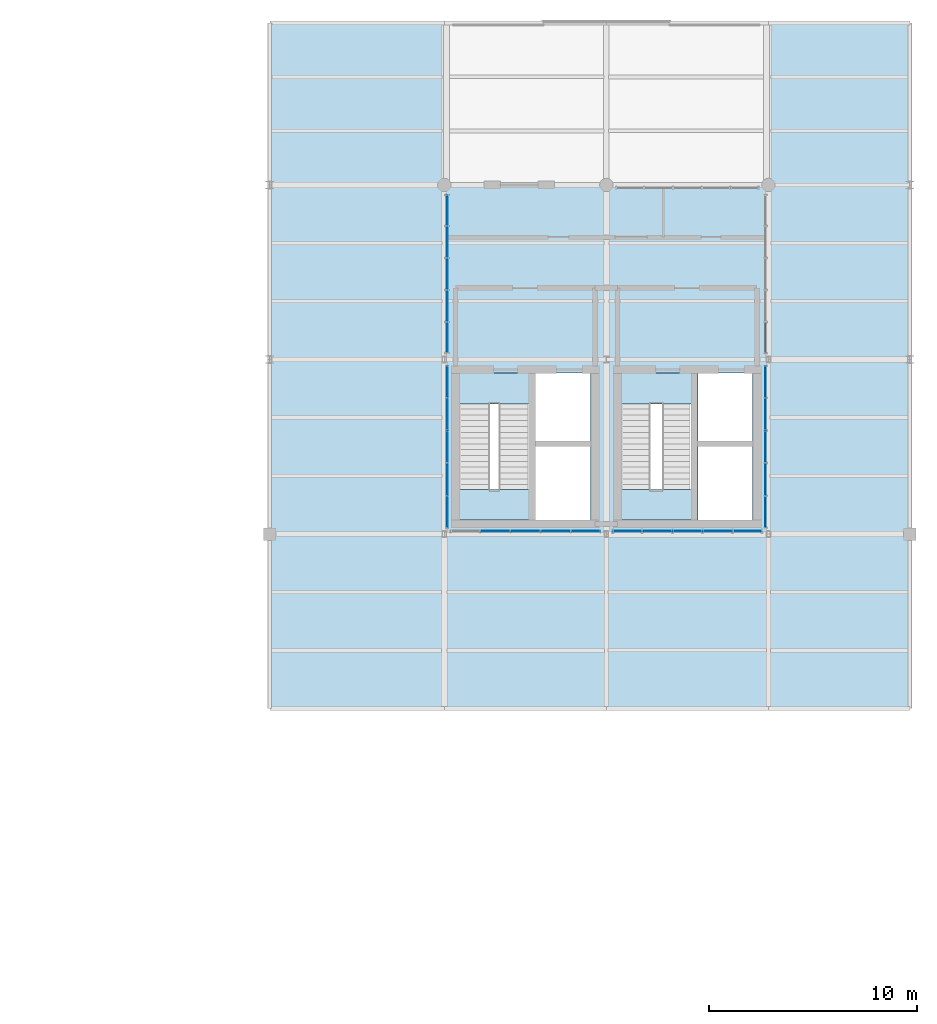
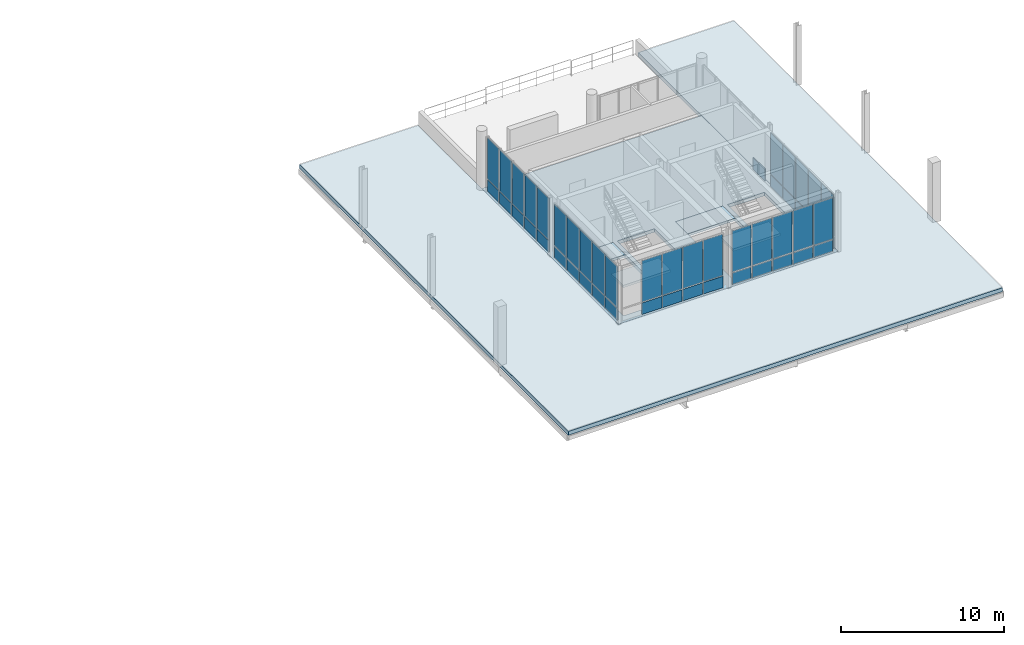
# One storey, part 54 of 66: 49 plates, 6 slabs, 8 elements without a shape of their own.
"""IFC4 building model written with IfcOpenShell, lengths in metres."""

from ifc_helpers import new_model, si_unit, direction, frame, frame_2d, origin_with_axes, place, context, subcontext, project, spatial, polyline, rectangle, outline, extrude, material, layer, layer_set, type_object, element, aggregate, save


model = new_model("IFC4")

# Units and contexts
model_context = context("Model", 3, precision=1e-05, world=origin_with_axes(), true_north=direction((0.0, 1.0)))
body_context = subcontext(model_context, "Body", "Model", "MODEL_VIEW")
ifc_project = project(units=[si_unit("LENGTHUNIT", "METRE"), si_unit("AREAUNIT", "SQUARE_METRE"), si_unit("VOLUMEUNIT", "CUBIC_METRE"), si_unit("PLANEANGLEUNIT", "RADIAN"), si_unit("MASSUNIT", "GRAM", prefix="KILO"), si_unit("THERMODYNAMICTEMPERATUREUNIT", "KELVIN")], contexts=[model_context])

# Site, building, storey
site_placement = place(None, origin_with_axes())
site = spatial("IfcSite", under=ifc_project, at=site_placement, CompositionType="ELEMENT")
building_placement = place(site_placement, origin_with_axes())
building = spatial("IfcBuilding", under=site, at=building_placement, Name="Montbau Bow Law Courts", CompositionType="ELEMENT")
storey_placement = place(building_placement, frame((0.0, 0.0, 34.5), z_axis=(0.0, 0.0, 1.0), x_axis=(1.0, 0.0, 0.0)))
storey = spatial("IfcBuildingStorey", under=building, at=storey_placement, Name="L07", CompositionType="ELEMENT", Elevation=34.5)

# Curtain wall, plates
ifc_material_1 = material(Name="Thermally Broken Extruded Aluminium AA 6063-T6", Category="aluminium")
curtain_wall_type = type_object("IfcCurtainWallType", Name="CW-NCK-03", PredefinedType="NOTDEFINED", material=ifc_material_1)
curtain_wall_1_placement = place(None, frame((147.268, 86.54, 34.5), z_axis=(0.0, 0.0, 1.0), x_axis=(1.0, 0.0, 0.0)))
curtain_wall_1 = element("IfcCurtainWall", 1, at=curtain_wall_1_placement, inside=storey, type_object=curtain_wall_type, Name="CW-L07-365:cw_0365", PredefinedType="NOTDEFINED")
ifc_material_2 = material(Name="Insulated Ceramic-Frit Spandrel Glazing Unit", Category="glass")
ifc_layer_1 = layer(ifc_material_2, 0.056, Name="Curtain Panel", Category="glass")
ifc_layer_set_1 = layer_set([ifc_layer_1], Name="Insulated Ceramic-Frit Spandrel Glazing Unit")
plate_type_1 = type_object("IfcPlateType", Name="PL-CWP-02", PredefinedType="CURTAIN_PANEL", material=ifc_layer_set_1)
plate_1_placement = place(None, frame((148.753, 86.54, 34.558), z_axis=(0.0, -1.0, 0.0), x_axis=(1.0, 0.0, 0.0)))
plate_1 = element("IfcPlate", 2, at=plate_1_placement, type_object=plate_type_1, Name="CW-L07-365-P02-1:cw_0365_P02_1", PredefinedType="CURTAIN_PANEL", context=body_context, shape_type="SweptSolid", body=[
    extrude(rectangle(XDim=1.389, YDim=0.862, at=frame_2d((0.6945, 0.431), x_axis=(1.0, 0.0))), frame((0.0, 0.0, -0.028), z_axis=(0.0, 0.0, 1.0), x_axis=(1.0, 0.0, 0.0)), (0.0, 0.0, 1.0), 0.056),
])
plate_2_placement = place(None, frame((150.206, 86.54, 34.558), z_axis=(0.0, -1.0, 0.0), x_axis=(1.0, 0.0, 0.0)))
plate_2 = element("IfcPlate", 3, at=plate_2_placement, type_object=plate_type_1, Name="CW-L07-365-P03-1:cw_0365_P03_1", PredefinedType="CURTAIN_PANEL", context=body_context, shape_type="SweptSolid", body=[
    extrude(rectangle(XDim=1.388, YDim=0.862, at=frame_2d((0.694, 0.431), x_axis=(1.0, 0.0))), frame((0.0, 0.0, -0.028), z_axis=(0.0, 0.0, 1.0), x_axis=(1.0, 0.0, 0.0)), (0.0, 0.0, 1.0), 0.056),
])
plate_3_placement = place(None, frame((151.658, 86.54, 34.558), z_axis=(0.0, -1.0, 0.0), x_axis=(1.0, 0.0, 0.0)))
plate_3 = element("IfcPlate", 4, at=plate_3_placement, type_object=plate_type_1, Name="CW-L07-365-P04-1:cw_0365_P04_1", PredefinedType="CURTAIN_PANEL", context=body_context, shape_type="SweptSolid", body=[
    extrude(rectangle(XDim=1.389, YDim=0.862, at=frame_2d((0.6945, 0.431), x_axis=(1.0, 0.0))), frame((0.0, 0.0, -0.028), z_axis=(0.0, 0.0, 1.0), x_axis=(1.0, 0.0, 0.0)), (0.0, 0.0, 1.0), 0.056),
])
plate_4_placement = place(None, frame((153.111, 86.54, 34.558), z_axis=(0.0, -1.0, 0.0), x_axis=(1.0, 0.0, 0.0)))
plate_4 = element("IfcPlate", 5, at=plate_4_placement, type_object=plate_type_1, Name="CW-L07-365-P05-1:cw_0365_P05_1", PredefinedType="CURTAIN_PANEL", context=body_context, shape_type="SweptSolid", body=[
    extrude(rectangle(XDim=1.359, YDim=0.862, at=frame_2d((0.6795, 0.431), x_axis=(1.0, 0.0))), frame((0.0, 0.0, -0.028), z_axis=(0.0, 0.0, 1.0), x_axis=(1.0, 0.0, 0.0)), (0.0, 0.0, 1.0), 0.056),
])

curtain_wall_2_placement = place(None, frame((155.068, 86.54, 34.5), z_axis=(0.0, 0.0, 1.0), x_axis=(1.0, 0.0, 0.0)))
curtain_wall_2 = element("IfcCurtainWall", 6, at=curtain_wall_2_placement, inside=storey, type_object=curtain_wall_type, Name="CW-L07-366:cw_0366", PredefinedType="NOTDEFINED")
plate_5_placement = place(None, frame((155.144, 86.54, 34.562), z_axis=(0.0, -1.0, 0.0), x_axis=(1.0, 0.0, 0.0)))
plate_5 = element("IfcPlate", 7, at=plate_5_placement, type_object=plate_type_1, Name="CW-L07-366-P01-1:cw_0366_P01_1", PredefinedType="CURTAIN_PANEL", context=body_context, shape_type="SweptSolid", body=[
    extrude(rectangle(XDim=1.337, YDim=0.856, at=frame_2d((0.6685, 0.428), x_axis=(1.0, 0.0))), frame((0.0, 0.0, -0.028), z_axis=(0.0, 0.0, 1.0), x_axis=(1.0, 0.0, 0.0)), (0.0, 0.0, 1.0), 0.056),
])
plate_6_placement = place(None, frame((156.561, 86.54, 34.562), z_axis=(0.0, -1.0, 0.0), x_axis=(1.0, 0.0, 0.0)))
plate_6 = element("IfcPlate", 8, at=plate_6_placement, type_object=plate_type_1, Name="CW-L07-366-P02-1:cw_0366_P02_1", PredefinedType="CURTAIN_PANEL", context=body_context, shape_type="SweptSolid", body=[
    extrude(rectangle(XDim=1.374, YDim=0.856, at=frame_2d((0.687, 0.428), x_axis=(1.0, 0.0))), frame((0.0, 0.0, -0.028), z_axis=(0.0, 0.0, 1.0), x_axis=(1.0, 0.0, 0.0)), (0.0, 0.0, 1.0), 0.056),
])
plate_7_placement = place(None, frame((158.014, 86.54, 34.562), z_axis=(0.0, -1.0, 0.0), x_axis=(1.0, 0.0, 0.0)))
plate_7 = element("IfcPlate", 9, at=plate_7_placement, type_object=plate_type_1, Name="CW-L07-366-P03-1:cw_0366_P03_1", PredefinedType="CURTAIN_PANEL", context=body_context, shape_type="SweptSolid", body=[
    extrude(rectangle(XDim=1.373, YDim=0.856, at=frame_2d((0.6865, 0.428), x_axis=(1.0, 0.0))), frame((0.0, 0.0, -0.028), z_axis=(0.0, 0.0, 1.0), x_axis=(1.0, 0.0, 0.0)), (0.0, 0.0, 1.0), 0.056),
])
plate_8_placement = place(None, frame((159.465, 86.54, 34.562), z_axis=(0.0, -1.0, 0.0), x_axis=(1.0, 0.0, 0.0)))
plate_8 = element("IfcPlate", 10, at=plate_8_placement, type_object=plate_type_1, Name="CW-L07-366-P04-1:cw_0366_P04_1", PredefinedType="CURTAIN_PANEL", context=body_context, shape_type="SweptSolid", body=[
    extrude(rectangle(XDim=1.375, YDim=0.856, at=frame_2d((0.6875, 0.428), x_axis=(1.0, 0.0))), frame((0.0, 0.0, -0.028), z_axis=(0.0, 0.0, 1.0), x_axis=(1.0, 0.0, 0.0)), (0.0, 0.0, 1.0), 0.056),
])
plate_9_placement = place(None, frame((160.918, 86.54, 34.562), z_axis=(0.0, -1.0, 0.0), x_axis=(1.0, 0.0, 0.0)))
plate_9 = element("IfcPlate", 11, at=plate_9_placement, type_object=plate_type_1, Name="CW-L07-366-P05-1:cw_0366_P05_1", PredefinedType="CURTAIN_PANEL", context=body_context, shape_type="SweptSolid", body=[
    extrude(rectangle(XDim=1.337, YDim=0.856, at=frame_2d((0.6685, 0.428), x_axis=(1.0, 0.0))), frame((0.0, 0.0, -0.028), z_axis=(0.0, 0.0, 1.0), x_axis=(1.0, 0.0, 0.0)), (0.0, 0.0, 1.0), 0.056),
])

curtain_wall_3_placement = place(None, frame((147.14, 86.668, 34.5), z_axis=(0.0, 0.0, 1.0), x_axis=(1.0, 0.0, 0.0)))
curtain_wall_3 = element("IfcCurtainWall", 12, at=curtain_wall_3_placement, inside=storey, type_object=curtain_wall_type, Name="CW-L07-368:cw_0368", PredefinedType="NOTDEFINED")
plate_10_placement = place(None, frame((147.14, 86.73, 34.562), z_axis=(1.0, 0.0, 0.0), x_axis=(0.0, 1.0, 0.0)))
plate_10 = element("IfcPlate", 13, at=plate_10_placement, type_object=plate_type_1, Name="CW-L07-368-P01-1:cw_0368_P01_1", PredefinedType="CURTAIN_PANEL", context=body_context, shape_type="SweptSolid", body=[
    extrude(rectangle(XDim=1.479, YDim=0.856, at=frame_2d((0.7395, 0.428), x_axis=(1.0, 0.0))), frame((0.0, 0.0, -0.028), z_axis=(0.0, 0.0, 1.0), x_axis=(1.0, 0.0, 0.0)), (0.0, 0.0, 1.0), 0.056),
])
plate_11_placement = place(None, frame((147.14, 88.273, 34.562), z_axis=(1.0, 0.0, 0.0), x_axis=(0.0, 1.0, 0.0)))
plate_11 = element("IfcPlate", 14, at=plate_11_placement, type_object=plate_type_1, Name="CW-L07-368-P02-1:cw_0368_P02_1", PredefinedType="CURTAIN_PANEL", context=body_context, shape_type="SweptSolid", body=[
    extrude(rectangle(XDim=1.509, YDim=0.856, at=frame_2d((0.7545, 0.428), x_axis=(1.0, 0.0))), frame((0.0, 0.0, -0.028), z_axis=(0.0, 0.0, 1.0), x_axis=(1.0, 0.0, 0.0)), (0.0, 0.0, 1.0), 0.056),
])
plate_12_placement = place(None, frame((147.14, 89.846, 34.562), z_axis=(1.0, 0.0, 0.0), x_axis=(0.0, 1.0, 0.0)))
plate_12 = element("IfcPlate", 15, at=plate_12_placement, type_object=plate_type_1, Name="CW-L07-368-P03-1:cw_0368_P03_1", PredefinedType="CURTAIN_PANEL", context=body_context, shape_type="SweptSolid", body=[
    extrude(rectangle(XDim=1.508, YDim=0.856, at=frame_2d((0.754, 0.428), x_axis=(1.0, 0.0))), frame((0.0, 0.0, -0.028), z_axis=(0.0, 0.0, 1.0), x_axis=(1.0, 0.0, 0.0)), (0.0, 0.0, 1.0), 0.056),
])
plate_13_placement = place(None, frame((147.14, 91.418, 34.562), z_axis=(1.0, 0.0, 0.0), x_axis=(0.0, 1.0, 0.0)))
plate_13 = element("IfcPlate", 16, at=plate_13_placement, type_object=plate_type_1, Name="CW-L07-368-P04-1:cw_0368_P04_1", PredefinedType="CURTAIN_PANEL", context=body_context, shape_type="SweptSolid", body=[
    extrude(rectangle(XDim=1.509, YDim=0.856, at=frame_2d((0.7545, 0.428), x_axis=(1.0, 0.0))), frame((0.0, 0.0, -0.028), z_axis=(0.0, 0.0, 1.0), x_axis=(1.0, 0.0, 0.0)), (0.0, 0.0, 1.0), 0.056),
])
plate_14_placement = place(None, frame((147.14, 92.991, 34.562), z_axis=(1.0, 0.0, 0.0), x_axis=(0.0, 1.0, 0.0)))
plate_14 = element("IfcPlate", 17, at=plate_14_placement, type_object=plate_type_1, Name="CW-L07-368-P05-1:cw_0368_P05_1", PredefinedType="CURTAIN_PANEL", context=body_context, shape_type="SweptSolid", body=[
    extrude(rectangle(XDim=1.479, YDim=0.856, at=frame_2d((0.7395, 0.428), x_axis=(1.0, 0.0))), frame((0.0, 0.0, -0.028), z_axis=(0.0, 0.0, 1.0), x_axis=(1.0, 0.0, 0.0)), (0.0, 0.0, 1.0), 0.056),
])

curtain_wall_4_placement = place(None, frame((147.14, 95.067, 34.5), z_axis=(0.0, 0.0, 1.0), x_axis=(1.0, 0.0, 0.0)))
curtain_wall_4 = element("IfcCurtainWall", 18, at=curtain_wall_4_placement, inside=storey, type_object=curtain_wall_type, Name="CW-L07-369:cw_0369", PredefinedType="NOTDEFINED")
plate_15_placement = place(None, frame((147.14, 95.143, 34.558), z_axis=(1.0, 0.0, 0.0), x_axis=(0.0, 1.0, 0.0)))
plate_15 = element("IfcPlate", 19, at=plate_15_placement, type_object=plate_type_1, Name="CW-L07-369-P01-1:cw_0369_P01_1", PredefinedType="CURTAIN_PANEL", context=body_context, shape_type="SweptSolid", body=[
    extrude(rectangle(XDim=1.423, YDim=0.862, at=frame_2d((0.7115, 0.431), x_axis=(1.0, 0.0))), frame((0.0, 0.0, -0.028), z_axis=(0.0, 0.0, 1.0), x_axis=(1.0, 0.0, 0.0)), (0.0, 0.0, 1.0), 0.056),
])
plate_16_placement = place(None, frame((147.14, 96.646, 34.558), z_axis=(1.0, 0.0, 0.0), x_axis=(0.0, 1.0, 0.0)))
plate_16 = element("IfcPlate", 20, at=plate_16_placement, type_object=plate_type_1, Name="CW-L07-369-P02-1:cw_0369_P02_1", PredefinedType="CURTAIN_PANEL", context=body_context, shape_type="SweptSolid", body=[
    extrude(rectangle(XDim=1.459, YDim=0.862, at=frame_2d((0.7295, 0.431), x_axis=(1.0, 0.0))), frame((0.0, 0.0, -0.028), z_axis=(0.0, 0.0, 1.0), x_axis=(1.0, 0.0, 0.0)), (0.0, 0.0, 1.0), 0.056),
])
plate_17_placement = place(None, frame((147.14, 98.183, 34.558), z_axis=(1.0, 0.0, 0.0), x_axis=(0.0, 1.0, 0.0)))
plate_17 = element("IfcPlate", 21, at=plate_17_placement, type_object=plate_type_1, Name="CW-L07-369-P03-1:cw_0369_P03_1", PredefinedType="CURTAIN_PANEL", context=body_context, shape_type="SweptSolid", body=[
    extrude(rectangle(XDim=1.461, YDim=0.862, at=frame_2d((0.7305, 0.431), x_axis=(1.0, 0.0))), frame((0.0, 0.0, -0.028), z_axis=(0.0, 0.0, 1.0), x_axis=(1.0, 0.0, 0.0)), (0.0, 0.0, 1.0), 0.056),
])
plate_18_placement = place(None, frame((147.14, 99.722, 34.558), z_axis=(1.0, 0.0, 0.0), x_axis=(0.0, 1.0, 0.0)))
plate_18 = element("IfcPlate", 22, at=plate_18_placement, type_object=plate_type_1, Name="CW-L07-369-P04-1:cw_0369_P04_1", PredefinedType="CURTAIN_PANEL", context=body_context, shape_type="SweptSolid", body=[
    extrude(rectangle(XDim=1.46, YDim=0.862, at=frame_2d((0.73, 0.431), x_axis=(1.0, 0.0))), frame((0.0, 0.0, -0.028), z_axis=(0.0, 0.0, 1.0), x_axis=(1.0, 0.0, 0.0)), (0.0, 0.0, 1.0), 0.056),
])
plate_19_placement = place(None, frame((147.14, 101.26, 34.558), z_axis=(1.0, 0.0, 0.0), x_axis=(0.0, 1.0, 0.0)))
plate_19 = element("IfcPlate", 23, at=plate_19_placement, type_object=plate_type_1, Name="CW-L07-369-P05-1:cw_0369_P05_1", PredefinedType="CURTAIN_PANEL", context=body_context, shape_type="SweptSolid", body=[
    extrude(rectangle(XDim=1.424, YDim=0.862, at=frame_2d((0.712, 0.431), x_axis=(1.0, 0.0))), frame((0.0, 0.0, -0.028), z_axis=(0.0, 0.0, 1.0), x_axis=(1.0, 0.0, 0.0)), (0.0, 0.0, 1.0), 0.056),
])

curtain_wall_5_placement = place(None, frame((162.46, 86.668, 34.5), z_axis=(0.0, 0.0, 1.0), x_axis=(1.0, 0.0, 0.0)))
curtain_wall_5 = element("IfcCurtainWall", 24, at=curtain_wall_5_placement, inside=storey, type_object=curtain_wall_type, Name="CW-L07-370:cw_0370", PredefinedType="NOTDEFINED")
plate_20_placement = place(None, frame((162.46, 86.736, 34.562), z_axis=(1.0, 0.0, 0.0), x_axis=(0.0, 1.0, 0.0)))
plate_20 = element("IfcPlate", 25, at=plate_20_placement, type_object=plate_type_1, Name="CW-L07-370-P01-1:cw_0370_P01_1", PredefinedType="CURTAIN_PANEL", context=body_context, shape_type="SweptSolid", body=[
    extrude(rectangle(XDim=1.47, YDim=0.856, at=frame_2d((0.735, 0.428), x_axis=(1.0, 0.0))), frame((0.0, 0.0, -0.028), z_axis=(0.0, 0.0, 1.0), x_axis=(1.0, 0.0, 0.0)), (0.0, 0.0, 1.0), 0.056),
])
plate_21_placement = place(None, frame((162.46, 88.275, 34.562), z_axis=(1.0, 0.0, 0.0), x_axis=(0.0, 1.0, 0.0)))
plate_21 = element("IfcPlate", 26, at=plate_21_placement, type_object=plate_type_1, Name="CW-L07-370-P02-1:cw_0370_P02_1", PredefinedType="CURTAIN_PANEL", context=body_context, shape_type="SweptSolid", body=[
    extrude(rectangle(XDim=1.504, YDim=0.856, at=frame_2d((0.752, 0.428), x_axis=(1.0, 0.0))), frame((0.0, 0.0, -0.028), z_axis=(0.0, 0.0, 1.0), x_axis=(1.0, 0.0, 0.0)), (0.0, 0.0, 1.0), 0.056),
])
plate_22_placement = place(None, frame((162.46, 89.848, 34.562), z_axis=(1.0, 0.0, 0.0), x_axis=(0.0, 1.0, 0.0)))
plate_22 = element("IfcPlate", 27, at=plate_22_placement, type_object=plate_type_1, Name="CW-L07-370-P03-1:cw_0370_P03_1", PredefinedType="CURTAIN_PANEL", context=body_context, shape_type="SweptSolid", body=[
    extrude(rectangle(XDim=1.504, YDim=0.856, at=frame_2d((0.752, 0.428), x_axis=(1.0, 0.0))), frame((0.0, 0.0, -0.028), z_axis=(0.0, 0.0, 1.0), x_axis=(1.0, 0.0, 0.0)), (0.0, 0.0, 1.0), 0.056),
])
plate_23_placement = place(None, frame((162.46, 91.42, 34.562), z_axis=(1.0, 0.0, 0.0), x_axis=(0.0, 1.0, 0.0)))
plate_23 = element("IfcPlate", 28, at=plate_23_placement, type_object=plate_type_1, Name="CW-L07-370-P04-1:cw_0370_P04_1", PredefinedType="CURTAIN_PANEL", context=body_context, shape_type="SweptSolid", body=[
    extrude(rectangle(XDim=1.505, YDim=0.856, at=frame_2d((0.7525, 0.428), x_axis=(1.0, 0.0))), frame((0.0, 0.0, -0.028), z_axis=(0.0, 0.0, 1.0), x_axis=(1.0, 0.0, 0.0)), (0.0, 0.0, 1.0), 0.056),
])
plate_24_placement = place(None, frame((162.46, 92.993, 34.562), z_axis=(1.0, 0.0, 0.0), x_axis=(0.0, 1.0, 0.0)))
plate_24 = element("IfcPlate", 29, at=plate_24_placement, type_object=plate_type_1, Name="CW-L07-370-P05-1:cw_0370_P05_1", PredefinedType="CURTAIN_PANEL", context=body_context, shape_type="SweptSolid", body=[
    extrude(rectangle(XDim=1.472, YDim=0.856, at=frame_2d((0.736, 0.428), x_axis=(1.0, 0.0))), frame((0.0, 0.0, -0.028), z_axis=(0.0, 0.0, 1.0), x_axis=(1.0, 0.0, 0.0)), (0.0, 0.0, 1.0), 0.056),
])

# Curtain wall, plate
curtain_wall_6_placement = place(None, frame((162.46, 95.067, 34.5), z_axis=(0.0, 0.0, 1.0), x_axis=(1.0, 0.0, 0.0)))
curtain_wall_6 = element("IfcCurtainWall", 30, at=curtain_wall_6_placement, inside=storey, type_object=curtain_wall_type, Name="CW-L07-371:cw_0371", PredefinedType="NOTDEFINED")
plate_25_placement = place(None, frame((162.46, 95.129, 34.558), z_axis=(1.0, 0.0, 0.0), x_axis=(0.0, 1.0, 0.0)))
plate_25 = element("IfcPlate", 31, at=plate_25_placement, type_object=plate_type_1, Name="CW-L07-371-P01-1:cw_0371_P01_1", PredefinedType="CURTAIN_PANEL", context=body_context, shape_type="SweptSolid", body=[
    extrude(rectangle(XDim=1.445, YDim=0.862, at=frame_2d((0.7225, 0.431), x_axis=(1.0, 0.0))), frame((0.0, 0.0, -0.028), z_axis=(0.0, 0.0, 1.0), x_axis=(1.0, 0.0, 0.0)), (0.0, 0.0, 1.0), 0.056),
])
aggregate(curtain_wall_6, [plate_25])

# Plate
ifc_material_3 = material(Name="Triple-Glazed Winter-Garden Vision Unit", Category="glass")
ifc_layer_2 = layer(ifc_material_3, 0.036, Name="Curtain Panel", Category="glass")
ifc_layer_set_2 = layer_set([ifc_layer_2], Name="Triple-Glazed Winter-Garden Vision Unit")
plate_type_2 = type_object("IfcPlateType", Name="PL-CWP-03", PredefinedType="CURTAIN_PANEL", material=ifc_layer_set_2)
plate_26_placement = place(None, frame((148.753, 86.54, 35.48), z_axis=(0.0, -1.0, 0.0), x_axis=(1.0, 0.0, 0.0)))
plate_26 = element("IfcPlate", 32, at=plate_26_placement, type_object=plate_type_2, Name="CW-L07-365-P02-2:cw_0365_P02_2", PredefinedType="CURTAIN_PANEL", context=body_context, shape_type="SweptSolid", body=[
    extrude(rectangle(XDim=1.389, YDim=3.102, at=frame_2d((0.6945, 1.551), x_axis=(1.0, 0.0))), frame((0.0, 0.0, -0.018), z_axis=(0.0, 0.0, 1.0), x_axis=(1.0, 0.0, 0.0)), (0.0, 0.0, 1.0), 0.036),
])

plate_27_placement = place(None, frame((150.206, 86.54, 35.48), z_axis=(0.0, -1.0, 0.0), x_axis=(1.0, 0.0, 0.0)))
plate_27 = element("IfcPlate", 33, at=plate_27_placement, type_object=plate_type_2, Name="CW-L07-365-P03-2:cw_0365_P03_2", PredefinedType="CURTAIN_PANEL", context=body_context, shape_type="SweptSolid", body=[
    extrude(rectangle(XDim=1.388, YDim=3.102, at=frame_2d((0.694, 1.551), x_axis=(1.0, 0.0))), frame((0.0, 0.0, -0.018), z_axis=(0.0, 0.0, 1.0), x_axis=(1.0, 0.0, 0.0)), (0.0, 0.0, 1.0), 0.036),
])

plate_28_placement = place(None, frame((151.658, 86.54, 35.48), z_axis=(0.0, -1.0, 0.0), x_axis=(1.0, 0.0, 0.0)))
plate_28 = element("IfcPlate", 34, at=plate_28_placement, type_object=plate_type_2, Name="CW-L07-365-P04-2:cw_0365_P04_2", PredefinedType="CURTAIN_PANEL", context=body_context, shape_type="SweptSolid", body=[
    extrude(rectangle(XDim=1.389, YDim=3.102, at=frame_2d((0.6945, 1.551), x_axis=(1.0, 0.0))), frame((0.0, 0.0, -0.018), z_axis=(0.0, 0.0, 1.0), x_axis=(1.0, 0.0, 0.0)), (0.0, 0.0, 1.0), 0.036),
])

plate_29_placement = place(None, frame((153.111, 86.54, 35.48), z_axis=(0.0, -1.0, 0.0), x_axis=(1.0, 0.0, 0.0)))
plate_29 = element("IfcPlate", 35, at=plate_29_placement, type_object=plate_type_2, Name="CW-L07-365-P05-2:cw_0365_P05_2", PredefinedType="CURTAIN_PANEL", context=body_context, shape_type="SweptSolid", body=[
    extrude(rectangle(XDim=1.359, YDim=3.102, at=frame_2d((0.6795, 1.551), x_axis=(1.0, 0.0))), frame((0.0, 0.0, -0.018), z_axis=(0.0, 0.0, 1.0), x_axis=(1.0, 0.0, 0.0)), (0.0, 0.0, 1.0), 0.036),
])

aggregate(curtain_wall_1, [plate_1, plate_26, plate_2, plate_27, plate_3, plate_28, plate_4, plate_29])

plate_30_placement = place(None, frame((155.144, 86.54, 35.482), z_axis=(0.0, -1.0, 0.0), x_axis=(1.0, 0.0, 0.0)))
plate_30 = element("IfcPlate", 36, at=plate_30_placement, type_object=plate_type_2, Name="CW-L07-366-P01-2:cw_0366_P01_2", PredefinedType="CURTAIN_PANEL", context=body_context, shape_type="SweptSolid", body=[
    extrude(rectangle(XDim=1.337, YDim=3.096, at=frame_2d((0.6685, 1.548), x_axis=(1.0, 0.0))), frame((0.0, 0.0, -0.018), z_axis=(0.0, 0.0, 1.0), x_axis=(1.0, 0.0, 0.0)), (0.0, 0.0, 1.0), 0.036),
])

plate_31_placement = place(None, frame((156.561, 86.54, 35.482), z_axis=(0.0, -1.0, 0.0), x_axis=(1.0, 0.0, 0.0)))
plate_31 = element("IfcPlate", 37, at=plate_31_placement, type_object=plate_type_2, Name="CW-L07-366-P02-2:cw_0366_P02_2", PredefinedType="CURTAIN_PANEL", context=body_context, shape_type="SweptSolid", body=[
    extrude(rectangle(XDim=1.374, YDim=3.096, at=frame_2d((0.687, 1.548), x_axis=(1.0, 0.0))), frame((0.0, 0.0, -0.018), z_axis=(0.0, 0.0, 1.0), x_axis=(1.0, 0.0, 0.0)), (0.0, 0.0, 1.0), 0.036),
])

plate_32_placement = place(None, frame((158.014, 86.54, 35.482), z_axis=(0.0, -1.0, 0.0), x_axis=(1.0, 0.0, 0.0)))
plate_32 = element("IfcPlate", 38, at=plate_32_placement, type_object=plate_type_2, Name="CW-L07-366-P03-2:cw_0366_P03_2", PredefinedType="CURTAIN_PANEL", context=body_context, shape_type="SweptSolid", body=[
    extrude(rectangle(XDim=1.373, YDim=3.096, at=frame_2d((0.6865, 1.548), x_axis=(1.0, 0.0))), frame((0.0, 0.0, -0.018), z_axis=(0.0, 0.0, 1.0), x_axis=(1.0, 0.0, 0.0)), (0.0, 0.0, 1.0), 0.036),
])

plate_33_placement = place(None, frame((159.465, 86.54, 35.482), z_axis=(0.0, -1.0, 0.0), x_axis=(1.0, 0.0, 0.0)))
plate_33 = element("IfcPlate", 39, at=plate_33_placement, type_object=plate_type_2, Name="CW-L07-366-P04-2:cw_0366_P04_2", PredefinedType="CURTAIN_PANEL", context=body_context, shape_type="SweptSolid", body=[
    extrude(rectangle(XDim=1.375, YDim=3.096, at=frame_2d((0.6875, 1.548), x_axis=(1.0, 0.0))), frame((0.0, 0.0, -0.018), z_axis=(0.0, 0.0, 1.0), x_axis=(1.0, 0.0, 0.0)), (0.0, 0.0, 1.0), 0.036),
])

plate_34_placement = place(None, frame((160.918, 86.54, 35.482), z_axis=(0.0, -1.0, 0.0), x_axis=(1.0, 0.0, 0.0)))
plate_34 = element("IfcPlate", 40, at=plate_34_placement, type_object=plate_type_2, Name="CW-L07-366-P05-2:cw_0366_P05_2", PredefinedType="CURTAIN_PANEL", context=body_context, shape_type="SweptSolid", body=[
    extrude(rectangle(XDim=1.337, YDim=3.096, at=frame_2d((0.6685, 1.548), x_axis=(1.0, 0.0))), frame((0.0, 0.0, -0.018), z_axis=(0.0, 0.0, 1.0), x_axis=(1.0, 0.0, 0.0)), (0.0, 0.0, 1.0), 0.036),
])

aggregate(curtain_wall_2, [plate_5, plate_30, plate_6, plate_31, plate_7, plate_32, plate_8, plate_33, plate_9, plate_34])

plate_35_placement = place(None, frame((147.14, 86.73, 35.482), z_axis=(1.0, 0.0, 0.0), x_axis=(0.0, 1.0, 0.0)))
plate_35 = element("IfcPlate", 41, at=plate_35_placement, type_object=plate_type_2, Name="CW-L07-368-P01-2:cw_0368_P01_2", PredefinedType="CURTAIN_PANEL", context=body_context, shape_type="SweptSolid", body=[
    extrude(rectangle(XDim=1.479, YDim=3.096, at=frame_2d((0.7395, 1.548), x_axis=(1.0, 0.0))), frame((0.0, 0.0, -0.018), z_axis=(0.0, 0.0, 1.0), x_axis=(1.0, 0.0, 0.0)), (0.0, 0.0, 1.0), 0.036),
])

plate_36_placement = place(None, frame((147.14, 88.273, 35.482), z_axis=(1.0, 0.0, 0.0), x_axis=(0.0, 1.0, 0.0)))
plate_36 = element("IfcPlate", 42, at=plate_36_placement, type_object=plate_type_2, Name="CW-L07-368-P02-2:cw_0368_P02_2", PredefinedType="CURTAIN_PANEL", context=body_context, shape_type="SweptSolid", body=[
    extrude(rectangle(XDim=1.509, YDim=3.096, at=frame_2d((0.7545, 1.548), x_axis=(1.0, 0.0))), frame((0.0, 0.0, -0.018), z_axis=(0.0, 0.0, 1.0), x_axis=(1.0, 0.0, 0.0)), (0.0, 0.0, 1.0), 0.036),
])

plate_37_placement = place(None, frame((147.14, 89.846, 35.482), z_axis=(1.0, 0.0, 0.0), x_axis=(0.0, 1.0, 0.0)))
plate_37 = element("IfcPlate", 43, at=plate_37_placement, type_object=plate_type_2, Name="CW-L07-368-P03-2:cw_0368_P03_2", PredefinedType="CURTAIN_PANEL", context=body_context, shape_type="SweptSolid", body=[
    extrude(rectangle(XDim=1.508, YDim=3.096, at=frame_2d((0.754, 1.548), x_axis=(1.0, 0.0))), frame((0.0, 0.0, -0.018), z_axis=(0.0, 0.0, 1.0), x_axis=(1.0, 0.0, 0.0)), (0.0, 0.0, 1.0), 0.036),
])

plate_38_placement = place(None, frame((147.14, 91.418, 35.482), z_axis=(1.0, 0.0, 0.0), x_axis=(0.0, 1.0, 0.0)))
plate_38 = element("IfcPlate", 44, at=plate_38_placement, type_object=plate_type_2, Name="CW-L07-368-P04-2:cw_0368_P04_2", PredefinedType="CURTAIN_PANEL", context=body_context, shape_type="SweptSolid", body=[
    extrude(rectangle(XDim=1.509, YDim=3.096, at=frame_2d((0.7545, 1.548), x_axis=(1.0, 0.0))), frame((0.0, 0.0, -0.018), z_axis=(0.0, 0.0, 1.0), x_axis=(1.0, 0.0, 0.0)), (0.0, 0.0, 1.0), 0.036),
])

plate_39_placement = place(None, frame((147.14, 92.991, 35.482), z_axis=(1.0, 0.0, 0.0), x_axis=(0.0, 1.0, 0.0)))
plate_39 = element("IfcPlate", 45, at=plate_39_placement, type_object=plate_type_2, Name="CW-L07-368-P05-2:cw_0368_P05_2", PredefinedType="CURTAIN_PANEL", context=body_context, shape_type="SweptSolid", body=[
    extrude(rectangle(XDim=1.479, YDim=3.096, at=frame_2d((0.7395, 1.548), x_axis=(1.0, 0.0))), frame((0.0, 0.0, -0.018), z_axis=(0.0, 0.0, 1.0), x_axis=(1.0, 0.0, 0.0)), (0.0, 0.0, 1.0), 0.036),
])

aggregate(curtain_wall_3, [plate_10, plate_35, plate_11, plate_36, plate_12, plate_37, plate_13, plate_38, plate_14, plate_39])

plate_40_placement = place(None, frame((147.14, 95.143, 35.48), z_axis=(1.0, 0.0, 0.0), x_axis=(0.0, 1.0, 0.0)))
plate_40 = element("IfcPlate", 46, at=plate_40_placement, type_object=plate_type_2, Name="CW-L07-369-P01-2:cw_0369_P01_2", PredefinedType="CURTAIN_PANEL", context=body_context, shape_type="SweptSolid", body=[
    extrude(rectangle(XDim=1.423, YDim=3.102, at=frame_2d((0.7115, 1.551), x_axis=(1.0, 0.0))), frame((0.0, 0.0, -0.018), z_axis=(0.0, 0.0, 1.0), x_axis=(1.0, 0.0, 0.0)), (0.0, 0.0, 1.0), 0.036),
])

plate_41_placement = place(None, frame((147.14, 96.646, 35.48), z_axis=(1.0, 0.0, 0.0), x_axis=(0.0, 1.0, 0.0)))
plate_41 = element("IfcPlate", 47, at=plate_41_placement, type_object=plate_type_2, Name="CW-L07-369-P02-2:cw_0369_P02_2", PredefinedType="CURTAIN_PANEL", context=body_context, shape_type="SweptSolid", body=[
    extrude(rectangle(XDim=1.459, YDim=3.102, at=frame_2d((0.7295, 1.551), x_axis=(1.0, 0.0))), frame((0.0, 0.0, -0.018), z_axis=(0.0, 0.0, 1.0), x_axis=(1.0, 0.0, 0.0)), (0.0, 0.0, 1.0), 0.036),
])

plate_42_placement = place(None, frame((147.14, 98.183, 35.48), z_axis=(1.0, 0.0, 0.0), x_axis=(0.0, 1.0, 0.0)))
plate_42 = element("IfcPlate", 48, at=plate_42_placement, type_object=plate_type_2, Name="CW-L07-369-P03-2:cw_0369_P03_2", PredefinedType="CURTAIN_PANEL", context=body_context, shape_type="SweptSolid", body=[
    extrude(rectangle(XDim=1.461, YDim=3.102, at=frame_2d((0.7305, 1.551), x_axis=(1.0, 0.0))), frame((0.0, 0.0, -0.018), z_axis=(0.0, 0.0, 1.0), x_axis=(1.0, 0.0, 0.0)), (0.0, 0.0, 1.0), 0.036),
])

plate_43_placement = place(None, frame((147.14, 99.722, 35.48), z_axis=(1.0, 0.0, 0.0), x_axis=(0.0, 1.0, 0.0)))
plate_43 = element("IfcPlate", 49, at=plate_43_placement, type_object=plate_type_2, Name="CW-L07-369-P04-2:cw_0369_P04_2", PredefinedType="CURTAIN_PANEL", context=body_context, shape_type="SweptSolid", body=[
    extrude(rectangle(XDim=1.46, YDim=3.102, at=frame_2d((0.73, 1.551), x_axis=(1.0, 0.0))), frame((0.0, 0.0, -0.018), z_axis=(0.0, 0.0, 1.0), x_axis=(1.0, 0.0, 0.0)), (0.0, 0.0, 1.0), 0.036),
])

plate_44_placement = place(None, frame((147.14, 101.26, 35.48), z_axis=(1.0, 0.0, 0.0), x_axis=(0.0, 1.0, 0.0)))
plate_44 = element("IfcPlate", 50, at=plate_44_placement, type_object=plate_type_2, Name="CW-L07-369-P05-2:cw_0369_P05_2", PredefinedType="CURTAIN_PANEL", context=body_context, shape_type="SweptSolid", body=[
    extrude(rectangle(XDim=1.424, YDim=3.102, at=frame_2d((0.712, 1.551), x_axis=(1.0, 0.0))), frame((0.0, 0.0, -0.018), z_axis=(0.0, 0.0, 1.0), x_axis=(1.0, 0.0, 0.0)), (0.0, 0.0, 1.0), 0.036),
])

aggregate(curtain_wall_4, [plate_15, plate_40, plate_16, plate_41, plate_17, plate_42, plate_18, plate_43, plate_19, plate_44])

plate_45_placement = place(None, frame((162.46, 86.736, 35.482), z_axis=(1.0, 0.0, 0.0), x_axis=(0.0, 1.0, 0.0)))
plate_45 = element("IfcPlate", 51, at=plate_45_placement, type_object=plate_type_2, Name="CW-L07-370-P01-2:cw_0370_P01_2", PredefinedType="CURTAIN_PANEL", context=body_context, shape_type="SweptSolid", body=[
    extrude(rectangle(XDim=1.47, YDim=3.096, at=frame_2d((0.735, 1.548), x_axis=(1.0, 0.0))), frame((0.0, 0.0, -0.018), z_axis=(0.0, 0.0, 1.0), x_axis=(1.0, 0.0, 0.0)), (0.0, 0.0, 1.0), 0.036),
])

plate_46_placement = place(None, frame((162.46, 88.275, 35.482), z_axis=(1.0, 0.0, 0.0), x_axis=(0.0, 1.0, 0.0)))
plate_46 = element("IfcPlate", 52, at=plate_46_placement, type_object=plate_type_2, Name="CW-L07-370-P02-2:cw_0370_P02_2", PredefinedType="CURTAIN_PANEL", context=body_context, shape_type="SweptSolid", body=[
    extrude(rectangle(XDim=1.504, YDim=3.096, at=frame_2d((0.752, 1.548), x_axis=(1.0, 0.0))), frame((0.0, 0.0, -0.018), z_axis=(0.0, 0.0, 1.0), x_axis=(1.0, 0.0, 0.0)), (0.0, 0.0, 1.0), 0.036),
])

plate_47_placement = place(None, frame((162.46, 89.848, 35.482), z_axis=(1.0, 0.0, 0.0), x_axis=(0.0, 1.0, 0.0)))
plate_47 = element("IfcPlate", 53, at=plate_47_placement, type_object=plate_type_2, Name="CW-L07-370-P03-2:cw_0370_P03_2", PredefinedType="CURTAIN_PANEL", context=body_context, shape_type="SweptSolid", body=[
    extrude(rectangle(XDim=1.504, YDim=3.096, at=frame_2d((0.752, 1.548), x_axis=(1.0, 0.0))), frame((0.0, 0.0, -0.018), z_axis=(0.0, 0.0, 1.0), x_axis=(1.0, 0.0, 0.0)), (0.0, 0.0, 1.0), 0.036),
])

plate_48_placement = place(None, frame((162.46, 91.42, 35.482), z_axis=(1.0, 0.0, 0.0), x_axis=(0.0, 1.0, 0.0)))
plate_48 = element("IfcPlate", 54, at=plate_48_placement, type_object=plate_type_2, Name="CW-L07-370-P04-2:cw_0370_P04_2", PredefinedType="CURTAIN_PANEL", context=body_context, shape_type="SweptSolid", body=[
    extrude(rectangle(XDim=1.505, YDim=3.096, at=frame_2d((0.7525, 1.548), x_axis=(1.0, 0.0))), frame((0.0, 0.0, -0.018), z_axis=(0.0, 0.0, 1.0), x_axis=(1.0, 0.0, 0.0)), (0.0, 0.0, 1.0), 0.036),
])

plate_49_placement = place(None, frame((162.46, 92.993, 35.482), z_axis=(1.0, 0.0, 0.0), x_axis=(0.0, 1.0, 0.0)))
plate_49 = element("IfcPlate", 55, at=plate_49_placement, type_object=plate_type_2, Name="CW-L07-370-P05-2:cw_0370_P05_2", PredefinedType="CURTAIN_PANEL", context=body_context, shape_type="SweptSolid", body=[
    extrude(rectangle(XDim=1.472, YDim=3.096, at=frame_2d((0.736, 1.548), x_axis=(1.0, 0.0))), frame((0.0, 0.0, -0.018), z_axis=(0.0, 0.0, 1.0), x_axis=(1.0, 0.0, 0.0)), (0.0, 0.0, 1.0), 0.036),
])

aggregate(curtain_wall_5, [plate_20, plate_45, plate_21, plate_46, plate_22, plate_47, plate_23, plate_48, plate_24, plate_49])

# Slab
ifc_material_4 = material(Name="Concrete CSA A23.1 f'c 40 MPa", Category="concrete")
ifc_layer_3 = layer(ifc_material_4, 0.26, Name="Floor Slab", Category="concrete")
ifc_layer_set_3 = layer_set([ifc_layer_3], Name="Concrete CSA A23.1 f'c 40 MPa")
slab_type_1 = type_object("IfcSlabType", Name="SL-FLR-04", PredefinedType="FLOOR", material=ifc_layer_set_3)
slab_1_placement = place(None, frame((0.0, 0.0, 34.24), z_axis=(0.0, 0.0, 1.0), x_axis=(1.0, 0.0, 0.0)))
element("IfcSlab", 56, at=slab_1_placement, inside=storey, type_object=slab_type_1, Name="SL-V5-L07:slb_0032", PredefinedType="FLOOR", context=body_context, shape_type="SweptSolid", body=[
    extrude(outline(polyline([(147.0, 86.4), (162.6, 86.4), (162.6, 103.2), (147.0, 103.2), (147.0, 86.4)]), holes=[polyline([(147.72, 87.04), (151.1, 87.04), (151.1, 94.142), (147.72, 94.142), (147.72, 87.04)]), polyline([(151.4, 87.04), (154.035, 87.04), (154.035, 90.622), (151.4, 90.622), (151.4, 87.04)]), polyline([(151.4, 90.862), (154.035, 90.862), (154.035, 94.16), (151.4, 94.16), (151.4, 90.862)]), polyline([(155.52, 87.04), (158.9, 87.04), (158.9, 94.142), (155.52, 94.142), (155.52, 87.04)]), polyline([(159.2, 87.04), (161.835, 87.04), (161.835, 90.622), (159.2, 90.622), (159.2, 87.04)]), polyline([(159.2, 90.862), (161.835, 90.862), (161.835, 94.16), (159.2, 94.16), (159.2, 90.862)])]), origin_with_axes(), (0.0, 0.0, 1.0), 0.26),
])

# Stair, slabs
stair_type_1 = type_object("IfcStairType", Name="ST-PUB-1800", PredefinedType="HALF_TURN_STAIR", material=ifc_material_4)
stair_1_placement = place(None, frame((148.49, 92.7, 34.5), z_axis=(0.0, 0.0, 1.0), x_axis=(1.0, 0.0, 0.0)))
stair_1 = element("IfcStair", 57, at=stair_1_placement, inside=storey, type_object=stair_type_1, Name="ST-P2-L07:str_0041", PredefinedType="HALF_TURN_STAIR")
ifc_layer_4 = layer(ifc_material_4, 0.18, Name="Landing", Category="concrete")
ifc_layer_set_4 = layer_set([ifc_layer_4], Name="Concrete CSA A23.1 f'c 40 MPa")
slab_type_2 = type_object("IfcSlabType", Name="SL-LND-01", PredefinedType="LANDING", material=ifc_layer_set_4)
slab_2_placement = place(None, frame((0.0, 0.0, 34.32), z_axis=(0.0, 0.0, 1.0), x_axis=(1.0, 0.0, 0.0)))
slab_2 = element("IfcSlab", 58, at=slab_2_placement, type_object=slab_type_2, Name="ST-P2-L07-LB:str_0041_LB", PredefinedType="LANDING", context=body_context, shape_type="SweptSolid", body=[
    extrude(outline(polyline([(147.72, 92.66), (151.1, 92.66), (151.1, 94.16), (147.72, 94.16), (147.72, 92.66)])), origin_with_axes(), (0.0, 0.0, 1.0), 0.18),
])
slab_3_placement = place(None, frame((0.0, 0.0, 36.57), z_axis=(0.0, 0.0, 1.0), x_axis=(1.0, 0.0, 0.0)))
slab_3 = element("IfcSlab", 59, at=slab_3_placement, type_object=slab_type_2, Name="ST-P2-L07-LM:str_0041_LM", PredefinedType="LANDING", context=body_context, shape_type="SweptSolid", body=[
    extrude(outline(polyline([(147.72, 87.07), (151.1, 87.07), (151.1, 88.54), (147.72, 88.54), (147.72, 87.07)])), origin_with_axes(), (0.0, 0.0, 1.0), 0.18),
])
aggregate(stair_1, [slab_2, slab_3])

stair_type_2 = type_object("IfcStairType", Name="ST-JUD-1500", PredefinedType="HALF_TURN_STAIR", material=ifc_material_4)
stair_2_placement = place(None, frame((156.25, 92.7, 34.5), z_axis=(0.0, 0.0, 1.0), x_axis=(1.0, 0.0, 0.0)))
stair_2 = element("IfcStair", 60, at=stair_2_placement, inside=storey, type_object=stair_type_2, Name="ST-J2-L07:str_0052", PredefinedType="HALF_TURN_STAIR")
slab_4_placement = place(None, frame((0.0, 0.0, 34.32), z_axis=(0.0, 0.0, 1.0), x_axis=(1.0, 0.0, 0.0)))
slab_4 = element("IfcSlab", 61, at=slab_4_placement, type_object=slab_type_2, Name="ST-J2-L07-LB:str_0052_LB", PredefinedType="LANDING", context=body_context, shape_type="SweptSolid", body=[
    extrude(outline(polyline([(155.52, 92.66), (158.9, 92.66), (158.9, 94.16), (155.52, 94.16), (155.52, 92.66)])), origin_with_axes(), (0.0, 0.0, 1.0), 0.18),
])
slab_5_placement = place(None, frame((0.0, 0.0, 36.57), z_axis=(0.0, 0.0, 1.0), x_axis=(1.0, 0.0, 0.0)))
slab_5 = element("IfcSlab", 62, at=slab_5_placement, type_object=slab_type_2, Name="ST-J2-L07-LM:str_0052_LM", PredefinedType="LANDING", context=body_context, shape_type="SweptSolid", body=[
    extrude(outline(polyline([(155.52, 87.07), (158.9, 87.07), (158.9, 88.54), (155.52, 88.54), (155.52, 87.07)])), origin_with_axes(), (0.0, 0.0, 1.0), 0.18),
])
aggregate(stair_2, [slab_4, slab_5])

# Slab
ifc_layer_5 = layer(ifc_material_4, 0.29, Name="Roof Slab", Category="concrete")
ifc_layer_set_5 = layer_set([ifc_layer_5], Name="Concrete CSA A23.1 f'c 40 MPa")
slab_type_3 = type_object("IfcSlabType", Name="SL-ROF-02", PredefinedType="ROOF", material=ifc_layer_set_5)
slab_6_placement = place(None, frame((0.0, 0.0, 34.21), z_axis=(0.0, 0.0, 1.0), x_axis=(1.0, 0.0, 0.0)))
element("IfcSlab", 63, at=slab_6_placement, inside=storey, type_object=slab_type_3, Name="RF-SLB-LID-L07-22:slb_0073", PredefinedType="ROOF", context=body_context, shape_type="SweptSolid", body=[
    extrude(outline(polyline([(146.996, 111.0), (146.996, 86.396), (162.604, 86.396), (162.604, 111.0), (169.4, 111.0), (169.4, 78.0), (138.6, 78.0), (138.6, 111.0), (146.996, 111.0)])), origin_with_axes(), (0.0, 0.0, 1.0), 0.29),
])

save(model, "model.ifc")
